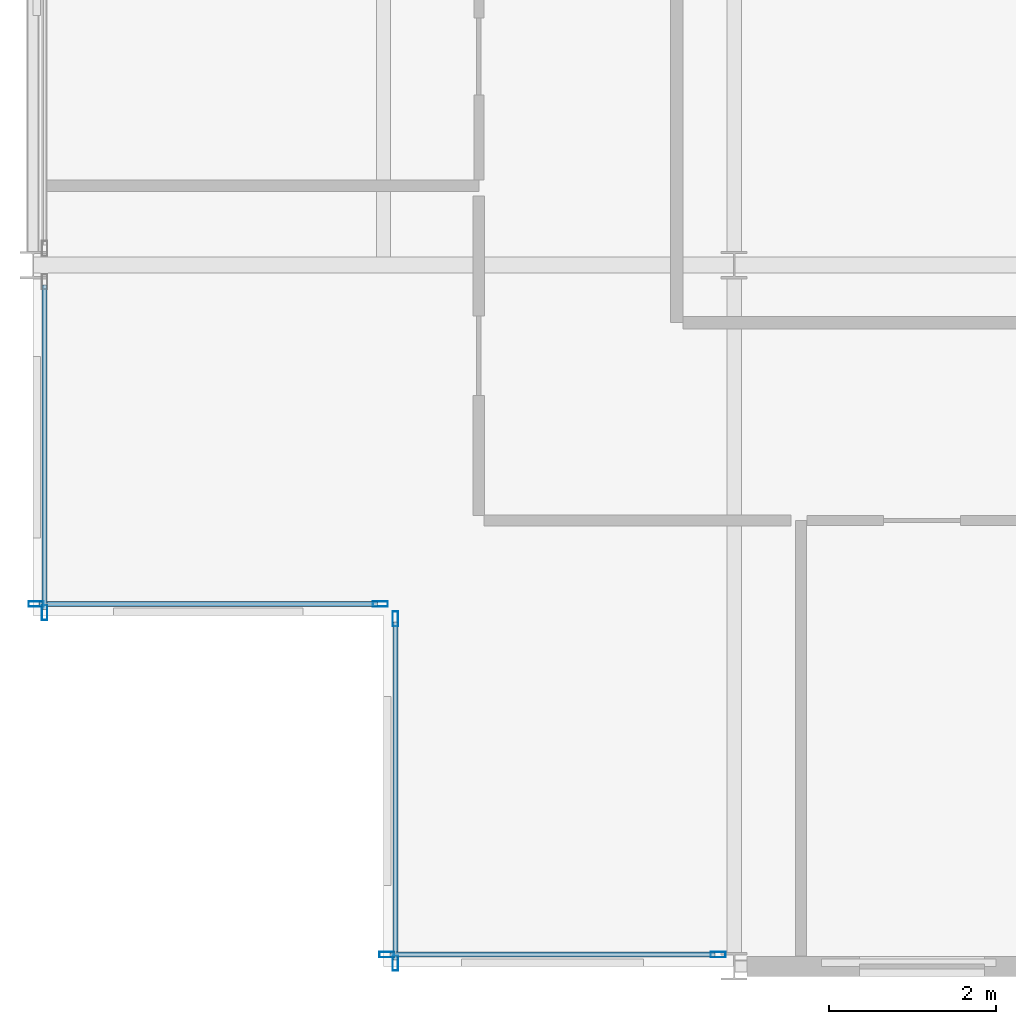
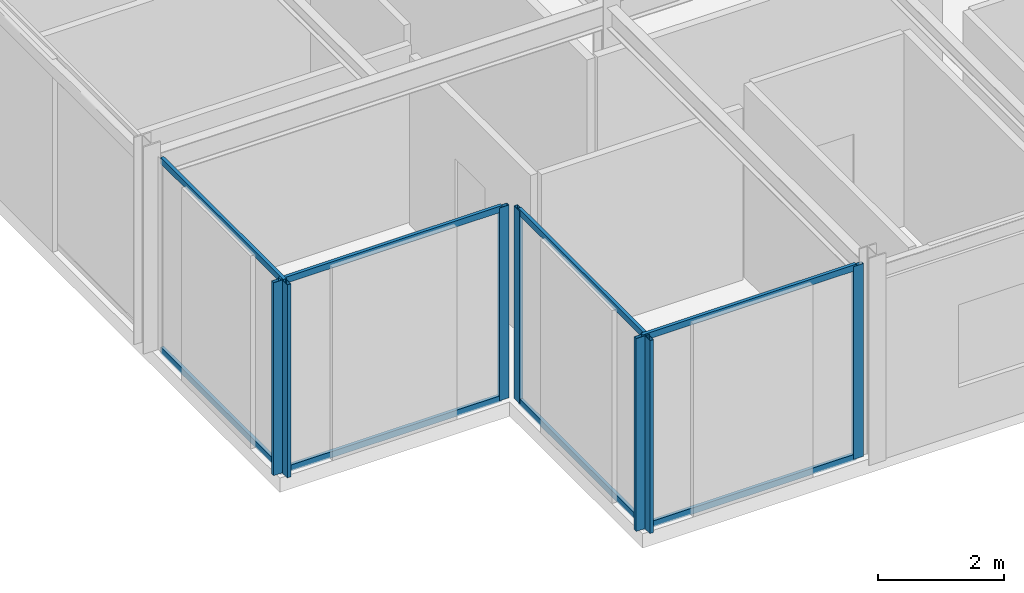
# One storey, part 3 of 26: 15 members, 4 elements without a shape of their own.
"""IFC4 building model written with IfcOpenShell, lengths in metres."""

import ifcopenshell
import ifcopenshell.guid

model = None  # the IFC model being written
_history = None  # IfcOwnerHistory: only IFC2X3 demands one
_inside = {}  # id of a spatial element -> (the spatial element, [elements in it])
_under = {}  # id of a project, library or spatial element -> (it, [spatial elements below it])
_declared = {}  # id of a project -> (the project, [libraries it declares])
_typed = {}  # id of a type object -> (the type object, [elements of that type])
_made_of = {}  # id of a material, layer set ... -> (it, [elements and type objects made of it])


def new_model(schema):
    """Start an empty IFC model of exactly this schema.

    Asked for "IFC4X3", IfcOpenShell would pick the latest addendum, in which some entities
    have other attributes; the version numbers below select the first issue.
    IFC2X3 requires an IfcOwnerHistory on every rooted entity: one is made here for all.
    """
    global model, _history
    if schema == "IFC4X3":
        model = ifcopenshell.file(schema_version=(4, 3, 0, 0))
    else:
        model = ifcopenshell.file(schema=schema)
    _inside.clear()
    _under.clear()
    _declared.clear()
    _typed.clear()
    _made_of.clear()
    _history = None
    if model.schema == "IFC2X3":
        org = make("IfcOrganization", Name="unknown")
        user = make(
            "IfcPersonAndOrganization",
            ThePerson=make("IfcPerson", FamilyName="unknown"),
            TheOrganization=org,
        )
        app = make(
            "IfcApplication",
            ApplicationDeveloper=org,
            Version="unknown",
            ApplicationFullName="unknown",
            ApplicationIdentifier="unknown",
        )
        _history = make(
            "IfcOwnerHistory",
            OwningUser=user,
            OwningApplication=app,
            ChangeAction="ADDED",
            CreationDate=0,
        )
    return model


def make(cls, **values):
    """One entity of the class cls with the attributes given. An attribute that is None is left unset."""
    return model.create_entity(
        cls, **{name: value for name, value in values.items() if value is not None}
    )


def rooted(cls, **values):
    """An entity with a GlobalId (a new one), such as an element, a storey or a relation."""
    return make(cls, GlobalId=ifcopenshell.guid.new(), OwnerHistory=_history, **values)


def si_unit(unit_type, name, prefix=None):
    """IfcSIUnit, for example si_unit("LENGTHUNIT", "METRE", prefix="MILLI")."""
    return make("IfcSIUnit", UnitType=unit_type, Prefix=prefix, Name=name)


def assignment(units):
    """IfcUnitAssignment: the units of a project."""
    return None if units is None else make("IfcUnitAssignment", Units=units)


def point(xyz):
    """IfcCartesianPoint."""
    return None if xyz is None else make("IfcCartesianPoint", Coordinates=xyz)


def direction(xyz):
    """IfcDirection."""
    return None if xyz is None else make("IfcDirection", DirectionRatios=xyz)


def frame(location, z_axis=None, x_axis=None):
    """IfcAxis2Placement3D, a coordinate frame: its origin and axes. An axis left out is left unset."""
    return make(
        "IfcAxis2Placement3D",
        Location=point(location),
        Axis=direction(z_axis),
        RefDirection=direction(x_axis),
    )


def frame_2d(location, x_axis=None):
    """IfcAxis2Placement2D, a coordinate frame in the plane: its origin and x axis."""
    return make(
        "IfcAxis2Placement2D", Location=point(location), RefDirection=direction(x_axis)
    )


def origin():
    """The frame at (0, 0, 0) with its axes left unset."""
    return frame((0.0, 0.0, 0.0))


def origin_2d():
    """The frame at (0, 0) in the plane with its x axis left unset."""
    return frame_2d((0.0, 0.0))


def place(relative_to, where):
    """IfcLocalPlacement: puts the frame where relative to a parent placement (None: the world)."""
    return make(
        "IfcLocalPlacement", PlacementRelTo=relative_to, RelativePlacement=where
    )


def context(
    kind, dimensions, precision=None, world=None, true_north=None, identifier=None
):
    """IfcGeometricRepresentationContext, for example the 3D "Model" context."""
    return make(
        "IfcGeometricRepresentationContext",
        ContextIdentifier=identifier,
        ContextType=kind,
        CoordinateSpaceDimension=dimensions,
        Precision=precision,
        WorldCoordinateSystem=world,
        TrueNorth=true_north,
    )


def subcontext(parent, identifier, kind, view, scale=None):
    """IfcGeometricRepresentationSubContext, for example "Body" below "Model"."""
    return make(
        "IfcGeometricRepresentationSubContext",
        ContextIdentifier=identifier,
        ContextType=kind,
        ParentContext=parent,
        TargetScale=scale,
        TargetView=view,
    )


def project(units=None, contexts=None):
    """IfcProject with its units and contexts."""
    return rooted(
        "IfcProject",
        Name="project",
        RepresentationContexts=contexts,
        UnitsInContext=assignment(units),
    )


def spatial(cls, under=None, at=None, **own):
    """A site, building, storey or space (cls), placed at a placement, below another one or the project."""
    s = rooted(cls, ObjectPlacement=at, **own)
    if under is not None:
        _under.setdefault(under.id(), (under, []))[1].append(s)
    return s


def profile(cls, at=None, kind="AREA", **sizes):
    """A parametric profile (cls). Its sizes go by their IFC names, for example OverallWidth=200.0."""
    return make(cls, ProfileType=kind, Position=at, **sizes)


def hollow_rectangle(**sizes):
    """IfcRectangleHollowProfileDef."""
    return profile("IfcRectangleHollowProfileDef", **sizes)


def extrude(swept, where, along, depth):
    """IfcExtrudedAreaSolid: the profile swept, set in the frame where, extruded along a direction by depth."""
    return make(
        "IfcExtrudedAreaSolid",
        SweptArea=swept,
        Position=where,
        ExtrudedDirection=direction(along),
        Depth=depth,
    )


def shape(context_of_items, identifier, shape_type, items):
    """IfcShapeRepresentation: the items that make up one representation, for example the "Body"."""
    return make(
        "IfcShapeRepresentation",
        ContextOfItems=context_of_items,
        RepresentationIdentifier=identifier,
        RepresentationType=shape_type,
        Items=items,
    )


def material(Name=None, Category=None):
    """IfcMaterial."""
    return make("IfcMaterial", Name=Name, Category=Category)


def layer(
    of_material, thickness, ventilated=None, Name=None, Category=None, Priority=None
):
    """IfcMaterialLayer: one layer of a wall or slab, of a material (None: an air gap)."""
    return make(
        "IfcMaterialLayer",
        Material=of_material,
        LayerThickness=thickness,
        IsVentilated=ventilated,
        Name=Name,
        Category=Category,
        Priority=Priority,
    )


def layer_set(layers, Name=None):
    """IfcMaterialLayerSet."""
    return make("IfcMaterialLayerSet", MaterialLayers=layers, LayerSetName=Name)


def material_profile(
    of_material, cross_section, Name=None, Category=None, Priority=None
):
    """IfcMaterialProfile: a cross section and its material."""
    return make(
        "IfcMaterialProfile",
        Name=Name,
        Material=of_material,
        Profile=cross_section,
        Priority=Priority,
        Category=Category,
    )


def profile_set(profiles, Name=None, composite=None):
    """IfcMaterialProfileSet."""
    return make(
        "IfcMaterialProfileSet",
        Name=Name,
        MaterialProfiles=profiles,
        CompositeProfile=composite,
    )


def made_of(thing, what):
    """Note that an element or type object is made of a material, layer set ...; save() writes the relation."""
    if what is not None:
        _made_of.setdefault(what.id(), (what, []))[1].append(thing)
    return thing


def type_object(cls, material=None, **own):
    """A type object (cls), such as IfcWallType, which elements share."""
    return made_of(rooted(cls, **own), material)


def element(
    cls,
    number,
    at=None,
    inside=None,
    cuts=None,
    type_object=None,
    material=None,
    context=None,
    identifier="Body",
    shape_type=None,
    held_by="IfcProductDefinitionShape",
    body=None,
    shapes=None,
    **own,
):
    """One element of the class cls, such as IfcWall. Its Tag is "e" and its number.

    at: its placement. inside: the storey or other place that contains it. cuts: it is an
    opening in that element (IfcRelVoidsElement). A single representation is given by context,
    identifier, shape_type and body (its items); several are given by shapes. held_by: the class
    of the entity that holds the representations. save() writes the other relations.
    """
    e = rooted(cls, Tag="e%d" % number, ObjectPlacement=at, **own)
    if body is not None:
        shapes = [shape(context, identifier, shape_type, body)]
    if shapes is not None:
        e.Representation = make(held_by, Representations=shapes)
    if inside is not None:
        _inside.setdefault(inside.id(), (inside, []))[1].append(e)
    if cuts is not None:
        rooted(
            "IfcRelVoidsElement", RelatingBuildingElement=cuts, RelatedOpeningElement=e
        )
    if type_object is not None:
        _typed.setdefault(type_object.id(), (type_object, []))[1].append(e)
    return made_of(e, material)


def aggregate(whole, parts):
    """IfcRelAggregates: a whole, such as a stair, and the parts it consists of."""
    return rooted("IfcRelAggregates", RelatingObject=whole, RelatedObjects=parts)


def save(model, path):
    """Write the relations noted so far, then the file.

    IfcRelAggregates (storeys below a building ...), IfcRelContainedInSpatialStructure (elements
    in a storey), IfcRelDefinesByType, IfcRelAssociatesMaterial and IfcRelDeclares: one each for
    every whole, place, type object, material and project.
    """
    for whole, parts in _under.values():
        aggregate(whole, parts)
    for where, things in _inside.values():
        rooted(
            "IfcRelContainedInSpatialStructure",
            RelatedElements=things,
            RelatingStructure=where,
        )
    for kind, things in _typed.values():
        rooted("IfcRelDefinesByType", RelatedObjects=things, RelatingType=kind)
    for what, things in _made_of.values():
        rooted("IfcRelAssociatesMaterial", RelatedObjects=things, RelatingMaterial=what)
    for by, libraries in _declared.values():
        rooted("IfcRelDeclares", RelatingContext=by, RelatedDefinitions=libraries)
    model.write(path)


model = new_model("IFC4")

# Units and contexts
model_context = context("Model", 3, precision=1e-05, world=origin(), true_north=direction((0.0, 1.0)))
body_context = subcontext(model_context, "Body", "Model", "MODEL_VIEW")
ifc_project = project(units=[si_unit("LENGTHUNIT", "METRE"), si_unit("AREAUNIT", "SQUARE_METRE"), si_unit("VOLUMEUNIT", "CUBIC_METRE"), si_unit("PLANEANGLEUNIT", "RADIAN"), si_unit("MASSUNIT", "GRAM", prefix="KILO")], contexts=[model_context])

# Site, building, storey
site_placement = place(None, origin())
site = spatial("IfcSite", under=ifc_project, at=site_placement, CompositionType="ELEMENT")
building_placement = place(site_placement, origin())
building = spatial("IfcBuilding", under=site, at=building_placement, Name="Nerrivon Quay Data Exchange", CompositionType="ELEMENT")
storey_placement = place(building_placement, frame((0.0, 0.0, 274.199951171875)))
storey = spatial("IfcBuildingStorey", under=building, at=storey_placement, Name="L65", CompositionType="ELEMENT", Elevation=274.199951171875)

# Curtain wall, members
ifc_material = material(Name="Anodised aluminium 6063-T6", Category="aluminium")
ifc_layer = layer(ifc_material, 0.195068359375)
ifc_layer_set = layer_set([ifc_layer], Name="Anodised aluminium 6063-T6")
curtain_wall_type = type_object("IfcCurtainWallType", Name="CW-SYS-06", PredefinedType="NOTDEFINED", material=ifc_layer_set)
curtain_wall_1_placement = place(storey_placement, origin())
curtain_wall_1 = element("IfcCurtainWall", 1, at=curtain_wall_1_placement, inside=storey, type_object=curtain_wall_type, Name="L65 Unitised Curtain Wall 8", PredefinedType="NOTDEFINED")
ifc_material_profile_1 = material_profile(ifc_material, hollow_rectangle(XDim=0.06494140625, YDim=0.179931640625, WallThickness=0.00341796875, at=origin_2d()), Name="ALU-MULL-180x65")
ifc_profile_set_1 = profile_set([ifc_material_profile_1], Name="Anodised aluminium 6063-T6")
member_type_1 = type_object("IfcMemberType", Name="CWM-180x65", PredefinedType="MULLION", material=ifc_profile_set_1)
member_1_placement = place(storey_placement, frame((8.20703125, 0.139892578125, 0.0), z_axis=(0.0, 0.0, 1.0), x_axis=(0.0, -1.0, 0.0)))
member_1 = element("IfcMember", 2, at=member_1_placement, type_object=member_type_1, Name="CW06 mullion 1", PredefinedType="MULLION", context=body_context, shape_type="SweptSolid", body=[
    extrude(hollow_rectangle(XDim=0.06494140625, YDim=0.179931640625, WallThickness=0.00341796875, at=origin_2d()), origin(), (0.0, 0.0, 1.0), 3.72509765625),
])
member_2_placement = place(storey_placement, frame((4.237548828125, 0.139892578125, 0.0), z_axis=(0.0, 0.0, 1.0), x_axis=(0.0, -1.0, 0.0)))
member_2 = element("IfcMember", 3, at=member_2_placement, type_object=member_type_1, Name="CW06 mullion 2", PredefinedType="MULLION", context=body_context, shape_type="SweptSolid", body=[
    extrude(hollow_rectangle(XDim=0.06494140625, YDim=0.179931640625, WallThickness=0.00341796875, at=origin_2d()), origin(), (0.0, 0.0, 1.0), 3.72509765625),
])

curtain_wall_2_placement = place(storey_placement, origin())
curtain_wall_2 = element("IfcCurtainWall", 4, at=curtain_wall_2_placement, inside=storey, type_object=curtain_wall_type, Name="L65 Unitised Curtain Wall 9", PredefinedType="NOTDEFINED")
member_3_placement = place(storey_placement, frame((4.340087890625, 0.03759765625, 0.0), z_axis=(0.0, 0.0, 1.0), x_axis=(-1.0, 0.0, 0.0)))
member_3 = element("IfcMember", 5, at=member_3_placement, type_object=member_type_1, Name="CW06 mullion 1", PredefinedType="MULLION", context=body_context, shape_type="SweptSolid", body=[
    extrude(hollow_rectangle(XDim=0.06494140625, YDim=0.179931640625, WallThickness=0.00341796875, at=origin_2d()), origin(), (0.0, 0.0, 1.0), 3.72509765625),
])
member_4_placement = place(storey_placement, frame((4.340087890625, 4.16259765625, 0.0), z_axis=(0.0, 0.0, 1.0), x_axis=(-1.0, 0.0, 0.0)))
member_4 = element("IfcMember", 6, at=member_4_placement, type_object=member_type_1, Name="CW06 mullion 2", PredefinedType="MULLION", context=body_context, shape_type="SweptSolid", body=[
    extrude(hollow_rectangle(XDim=0.06494140625, YDim=0.179931640625, WallThickness=0.00341796875, at=origin_2d()), origin(), (0.0, 0.0, 1.0), 3.72509765625),
])

curtain_wall_3_placement = place(storey_placement, origin())
curtain_wall_3 = element("IfcCurtainWall", 7, at=curtain_wall_3_placement, inside=storey, type_object=curtain_wall_type, Name="L65 Unitised Curtain Wall 10", PredefinedType="NOTDEFINED")
member_5_placement = place(storey_placement, frame((4.16259765625, 4.340087890625, 0.0), z_axis=(0.0, 0.0, 1.0), x_axis=(0.0, -1.0, 0.0)))
member_5 = element("IfcMember", 8, at=member_5_placement, type_object=member_type_1, Name="CW06 mullion 1", PredefinedType="MULLION", context=body_context, shape_type="SweptSolid", body=[
    extrude(hollow_rectangle(XDim=0.06494140625, YDim=0.179931640625, WallThickness=0.00341796875, at=origin_2d()), origin(), (0.0, 0.0, 1.0), 3.72509765625),
])
member_6_placement = place(storey_placement, frame((0.03759765625, 4.340087890625, 0.0), z_axis=(0.0, 0.0, 1.0), x_axis=(0.0, -1.0, 0.0)))
member_6 = element("IfcMember", 9, at=member_6_placement, type_object=member_type_1, Name="CW06 mullion 2", PredefinedType="MULLION", context=body_context, shape_type="SweptSolid", body=[
    extrude(hollow_rectangle(XDim=0.06494140625, YDim=0.179931640625, WallThickness=0.00341796875, at=origin_2d()), origin(), (0.0, 0.0, 1.0), 3.72509765625),
])

# Curtain wall, member
curtain_wall_4_placement = place(storey_placement, origin())
curtain_wall_4 = element("IfcCurtainWall", 10, at=curtain_wall_4_placement, inside=storey, type_object=curtain_wall_type, Name="L65 Unitised Curtain Wall 11", PredefinedType="NOTDEFINED")
member_7_placement = place(storey_placement, frame((0.139892578125, 4.237548828125, 0.0), z_axis=(0.0, 0.0, 1.0), x_axis=(-1.0, 0.0, 0.0)))
member_7 = element("IfcMember", 11, at=member_7_placement, type_object=member_type_1, Name="CW06 mullion 1", PredefinedType="MULLION", context=body_context, shape_type="SweptSolid", body=[
    extrude(hollow_rectangle(XDim=0.06494140625, YDim=0.179931640625, WallThickness=0.00341796875, at=origin_2d()), origin(), (0.0, 0.0, 1.0), 3.72509765625),
])

# Member
ifc_material_profile_2 = material_profile(ifc_material, hollow_rectangle(XDim=0.06005859375, YDim=0.1201171875, WallThickness=0.003173828125, at=origin_2d()), Name="ALU-TRAN-120x60")
ifc_profile_set_2 = profile_set([ifc_material_profile_2], Name="Anodised aluminium 6063-T6")
member_type_2 = type_object("IfcMemberType", Name="CWT-120x60", PredefinedType="USERDEFINED", material=ifc_profile_set_2)
member_8_placement = place(storey_placement, frame((8.16943359375, 0.139892578125, 0.032470703125), z_axis=(-1.0, 0.0, 0.0), x_axis=(0.0, -1.0, 0.0)))
member_8 = element("IfcMember", 12, at=member_8_placement, type_object=member_type_2, Name="CW06 transom 1.1", ObjectType="TRANSOM", PredefinedType="USERDEFINED", context=body_context, shape_type="SweptSolid", body=[
    extrude(hollow_rectangle(XDim=0.06005859375, YDim=0.1201171875, WallThickness=0.003173828125, at=origin_2d()), origin(), (0.0, 0.0, 1.0), 3.89453125),
])

member_9_placement = place(storey_placement, frame((8.16943359375, 0.139892578125, 3.692626953125), z_axis=(-1.0, 0.0, 0.0), x_axis=(0.0, -1.0, 0.0)))
member_9 = element("IfcMember", 13, at=member_9_placement, type_object=member_type_2, Name="CW06 transom 1.2", ObjectType="TRANSOM", PredefinedType="USERDEFINED", context=body_context, shape_type="SweptSolid", body=[
    extrude(hollow_rectangle(XDim=0.06005859375, YDim=0.1201171875, WallThickness=0.003173828125, at=origin_2d()), origin(), (0.0, 0.0, 1.0), 3.89453125),
])

aggregate(curtain_wall_1, [member_1, member_2, member_8, member_9])

member_10_placement = place(storey_placement, frame((4.340087890625, 0.074951171875, 0.032470703125), z_axis=(0.0, 1.0, 0.0), x_axis=(-1.0, 0.0, 0.0)))
member_10 = element("IfcMember", 14, at=member_10_placement, type_object=member_type_2, Name="CW06 transom 1.1", ObjectType="TRANSOM", PredefinedType="USERDEFINED", context=body_context, shape_type="SweptSolid", body=[
    extrude(hollow_rectangle(XDim=0.06005859375, YDim=0.1201171875, WallThickness=0.003173828125, at=origin_2d()), origin(), (0.0, 0.0, 1.0), 4.050048828125),
])

member_11_placement = place(storey_placement, frame((4.340087890625, 0.074951171875, 3.692626953125), z_axis=(0.0, 1.0, 0.0), x_axis=(-1.0, 0.0, 0.0)))
member_11 = element("IfcMember", 15, at=member_11_placement, type_object=member_type_2, Name="CW06 transom 1.2", ObjectType="TRANSOM", PredefinedType="USERDEFINED", context=body_context, shape_type="SweptSolid", body=[
    extrude(hollow_rectangle(XDim=0.06005859375, YDim=0.1201171875, WallThickness=0.003173828125, at=origin_2d()), origin(), (0.0, 0.0, 1.0), 4.050048828125),
])

aggregate(curtain_wall_2, [member_3, member_4, member_10, member_11])

member_12_placement = place(storey_placement, frame((4.125, 4.340087890625, 0.032470703125), z_axis=(-1.0, 0.0, 0.0), x_axis=(0.0, -1.0, 0.0)))
member_12 = element("IfcMember", 16, at=member_12_placement, type_object=member_type_2, Name="CW06 transom 1.1", ObjectType="TRANSOM", PredefinedType="USERDEFINED", context=body_context, shape_type="SweptSolid", body=[
    extrude(hollow_rectangle(XDim=0.06005859375, YDim=0.1201171875, WallThickness=0.003173828125, at=origin_2d()), origin(), (0.0, 0.0, 1.0), 4.050048828125),
])

member_13_placement = place(storey_placement, frame((4.125, 4.340087890625, 3.692626953125), z_axis=(-1.0, 0.0, 0.0), x_axis=(0.0, -1.0, 0.0)))
member_13 = element("IfcMember", 17, at=member_13_placement, type_object=member_type_2, Name="CW06 transom 1.2", ObjectType="TRANSOM", PredefinedType="USERDEFINED", context=body_context, shape_type="SweptSolid", body=[
    extrude(hollow_rectangle(XDim=0.06005859375, YDim=0.1201171875, WallThickness=0.003173828125, at=origin_2d()), origin(), (0.0, 0.0, 1.0), 4.050048828125),
])

aggregate(curtain_wall_3, [member_5, member_6, member_12, member_13])

member_14_placement = place(storey_placement, frame((0.139892578125, 4.27490234375, 0.032470703125), z_axis=(0.0, 1.0, 0.0), x_axis=(-1.0, 0.0, 0.0)))
member_14 = element("IfcMember", 18, at=member_14_placement, type_object=member_type_2, Name="CW06 transom 1.1", ObjectType="TRANSOM", PredefinedType="USERDEFINED", context=body_context, shape_type="SweptSolid", body=[
    extrude(hollow_rectangle(XDim=0.06005859375, YDim=0.1201171875, WallThickness=0.003173828125, at=origin_2d()), origin(), (0.0, 0.0, 1.0), 3.88671875),
])

member_15_placement = place(storey_placement, frame((0.139892578125, 4.27490234375, 3.692626953125), z_axis=(0.0, 1.0, 0.0), x_axis=(-1.0, 0.0, 0.0)))
member_15 = element("IfcMember", 19, at=member_15_placement, type_object=member_type_2, Name="CW06 transom 1.2", ObjectType="TRANSOM", PredefinedType="USERDEFINED", context=body_context, shape_type="SweptSolid", body=[
    extrude(hollow_rectangle(XDim=0.06005859375, YDim=0.1201171875, WallThickness=0.003173828125, at=origin_2d()), origin(), (0.0, 0.0, 1.0), 3.88671875),
])

aggregate(curtain_wall_4, [member_7, member_14, member_15])

save(model, "model.ifc")
